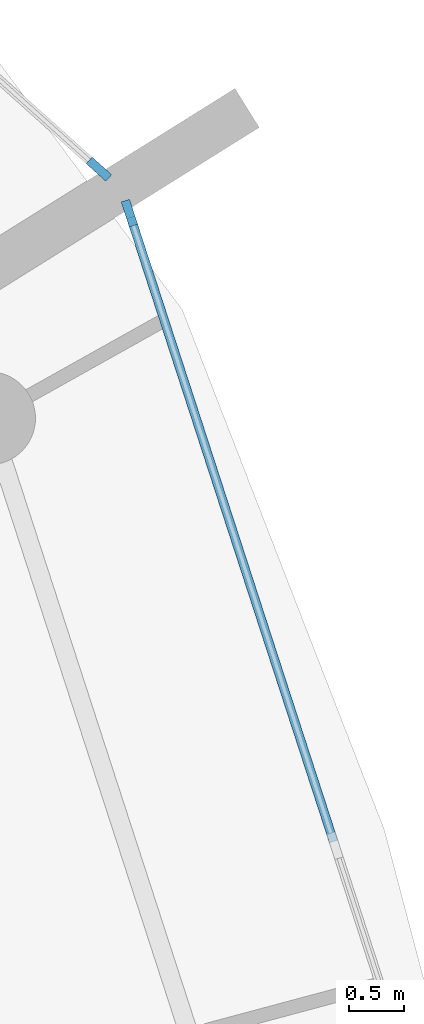
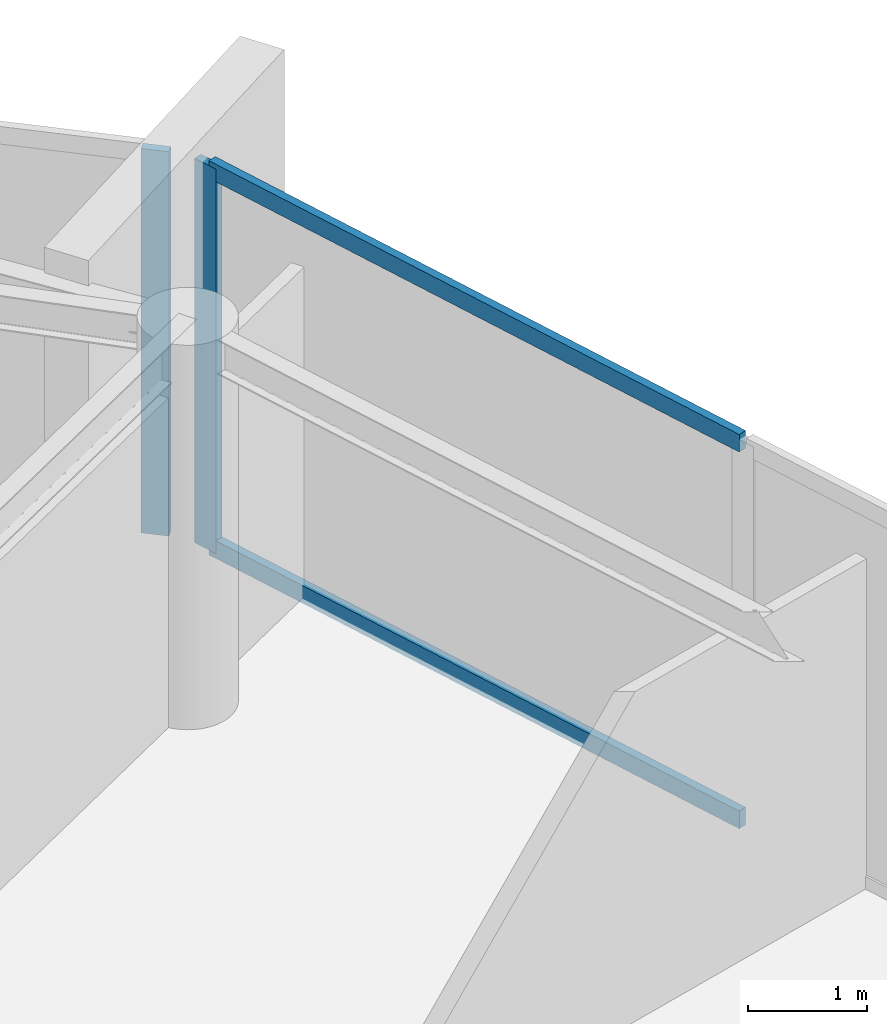
# One storey, part 8 of 22: 4 members, 2 elements without a shape of their own.
"""IFC4 building model written with IfcOpenShell, lengths in metres."""

from ifc_helpers import new_model, si_unit, direction, frame, origin, origin_2d, place, context, subcontext, project, spatial, rectangle, extrude, material, layer, layer_set, material_profile, profile_set, type_object, element, aggregate, save


model = new_model("IFC4")

# Units and contexts
model_context = context("Model", 3, precision=1e-05, world=origin(), true_north=direction((0.0, 1.0)))
body_context = subcontext(model_context, "Body", "Model", "MODEL_VIEW")
ifc_project = project(units=[si_unit("LENGTHUNIT", "METRE"), si_unit("AREAUNIT", "SQUARE_METRE"), si_unit("VOLUMEUNIT", "CUBIC_METRE"), si_unit("PLANEANGLEUNIT", "RADIAN"), si_unit("MASSUNIT", "GRAM", prefix="KILO")], contexts=[model_context])

# Site, building, storey
site_placement = place(None, origin())
site = spatial("IfcSite", under=ifc_project, at=site_placement, CompositionType="ELEMENT")
building_placement = place(site_placement, origin())
building = spatial("IfcBuilding", under=site, at=building_placement, Name="Kazma Halo Residences", CompositionType="ELEMENT")
storey_placement = place(building_placement, frame((0.0, 0.0, 326.300048828125)))
storey = spatial("IfcBuildingStorey", under=building, at=storey_placement, Name="L82", CompositionType="ELEMENT", Elevation=326.300048828125)

# Curtain wall, member
ifc_material_1 = material(Name="Aluminium AW-6063 T6 and Triple-Silver Low-E Glass", Category="aluminium")
ifc_layer = layer(ifc_material_1, 0.239990234375)
ifc_layer_set = layer_set([ifc_layer], Name="Aluminium AW-6063 T6 and Triple-Silver Low-E Glass")
curtain_wall_type = type_object("IfcCurtainWallType", Name="CW-SYS-6", PredefinedType="NOTDEFINED", material=ifc_layer_set)
curtain_wall_1_placement = place(storey_placement, origin())
curtain_wall_1 = element("IfcCurtainWall", 1, at=curtain_wall_1_placement, inside=storey, type_object=curtain_wall_type, Name="L82 unitised curtain wall B01", PredefinedType="NOTDEFINED")
ifc_material_2 = material(Name="Aluminium AW-6063 T6", Category="aluminium")
ifc_material_profile_1 = material_profile(ifc_material_2, rectangle(XDim=0.080078125, YDim=0.239990234375, at=origin_2d()), Name="CWM-80x240")
ifc_profile_set_1 = profile_set([ifc_material_profile_1], Name="Aluminium AW-6063 T6")
member_type_1 = type_object("IfcMemberType", Name="CW-SYS-6-MUL", PredefinedType="MULLION", material=ifc_profile_set_1)
member_1_placement = place(storey_placement, frame((69.968017578125, 56.013916015625, 0.0), z_axis=(0.0, 0.0, 1.0), x_axis=(-0.667757559118, -0.744378829791, 0.0)))
member_1 = element("IfcMember", 2, at=member_1_placement, type_object=member_type_1, Name="CWS-6 mullion 1", PredefinedType="MULLION", context=body_context, shape_type="SweptSolid", body=[
    extrude(rectangle(XDim=0.080078125, YDim=0.239990234375, at=origin_2d()), origin(), (0.0, 0.0, 1.0), 3.93994140625),
])
aggregate(curtain_wall_1, [member_1])

# Curtain wall, members
curtain_wall_2_placement = place(storey_placement, origin())
curtain_wall_2 = element("IfcCurtainWall", 3, at=curtain_wall_2_placement, inside=storey, type_object=curtain_wall_type, Name="L82 unitised curtain wall B16", PredefinedType="NOTDEFINED")
member_2_placement = place(storey_placement, frame((70.245849609375, 55.61328125, 0.0), z_axis=(0.0, 0.0, 1.0), x_axis=(-0.951055886462, -0.309018932797, 0.0)))
member_2 = element("IfcMember", 4, at=member_2_placement, type_object=member_type_1, Name="CWS-6 mullion 3", PredefinedType="MULLION", context=body_context, shape_type="SweptSolid", body=[
    extrude(rectangle(XDim=0.080078125, YDim=0.239990234375, at=origin_2d()), origin(), (0.0, 0.0, 1.0), 3.93994140625),
])
ifc_material_profile_2 = material_profile(ifc_material_2, rectangle(XDim=0.080078125, YDim=0.179931640625, at=origin_2d()), Name="CWT-80x180")
ifc_profile_set_2 = profile_set([ifc_material_profile_2], Name="Aluminium AW-6063 T6")
member_type_2 = type_object("IfcMemberType", Name="CW-SYS-6-TRN", PredefinedType="USERDEFINED", material=ifc_profile_set_2)
member_3_placement = place(storey_placement, frame((72.110107421875, 49.8759765625, 0.0400390625), z_axis=(-0.309019743831, 0.951055622938, 0.0), x_axis=(-0.951055622938, -0.309019743831, 0.0)))
member_3 = element("IfcMember", 5, at=member_3_placement, type_object=member_type_2, Name="CWS-6 transom 2.1", ObjectType="TRANSOM", PredefinedType="USERDEFINED", context=body_context, shape_type="SweptSolid", body=[
    extrude(rectangle(XDim=0.080078125, YDim=0.179931640625, at=origin_2d()), origin(), (0.0, 0.0, 1.0), 5.992431640625),
])
member_4_placement = place(storey_placement, frame((72.110107421875, 49.8759765625, 3.89990234375), z_axis=(-0.309019743831, 0.951055622938, 0.0), x_axis=(-0.951055622938, -0.309019743831, 0.0)))
member_4 = element("IfcMember", 6, at=member_4_placement, type_object=member_type_2, Name="CWS-6 transom 2.2", ObjectType="TRANSOM", PredefinedType="USERDEFINED", context=body_context, shape_type="SweptSolid", body=[
    extrude(rectangle(XDim=0.080078125, YDim=0.179931640625, at=origin_2d()), origin(), (0.0, 0.0, 1.0), 5.992431640625),
])
aggregate(curtain_wall_2, [member_2, member_3, member_4])

save(model, "model.ifc")
